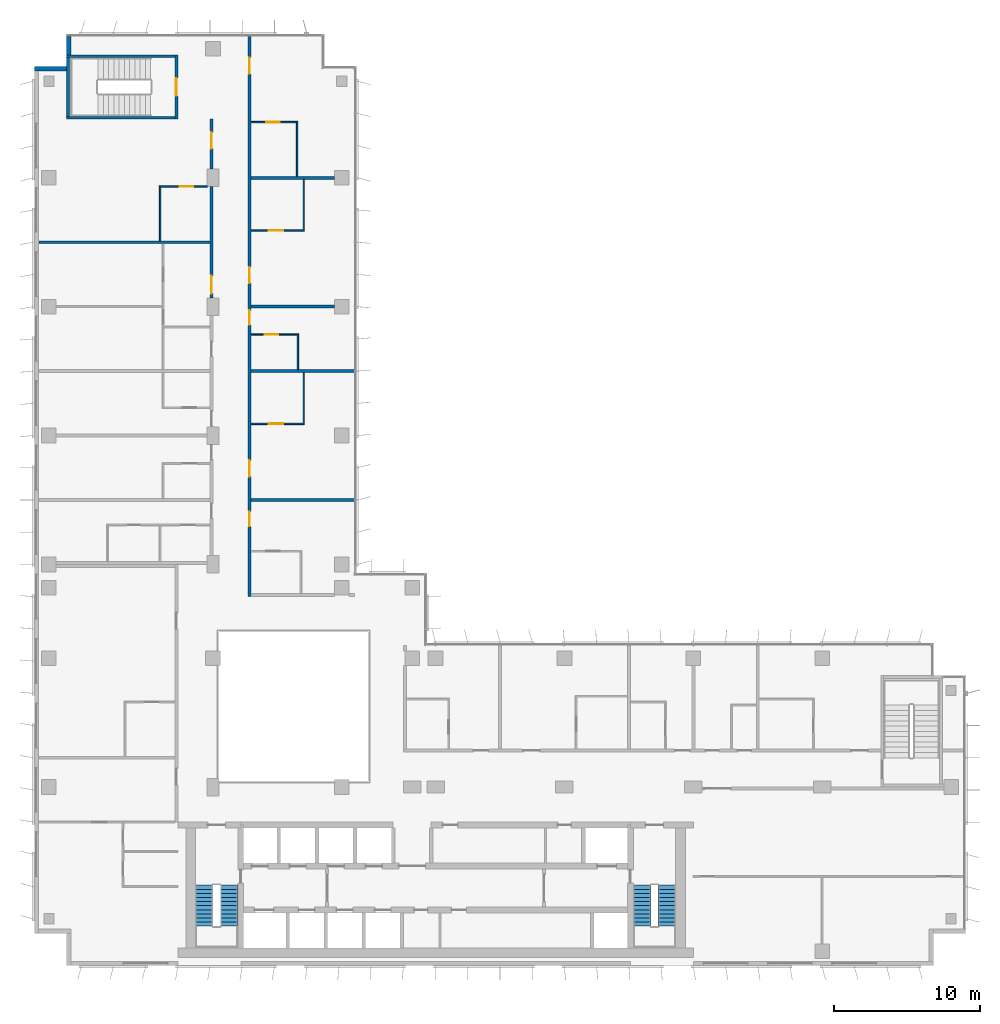
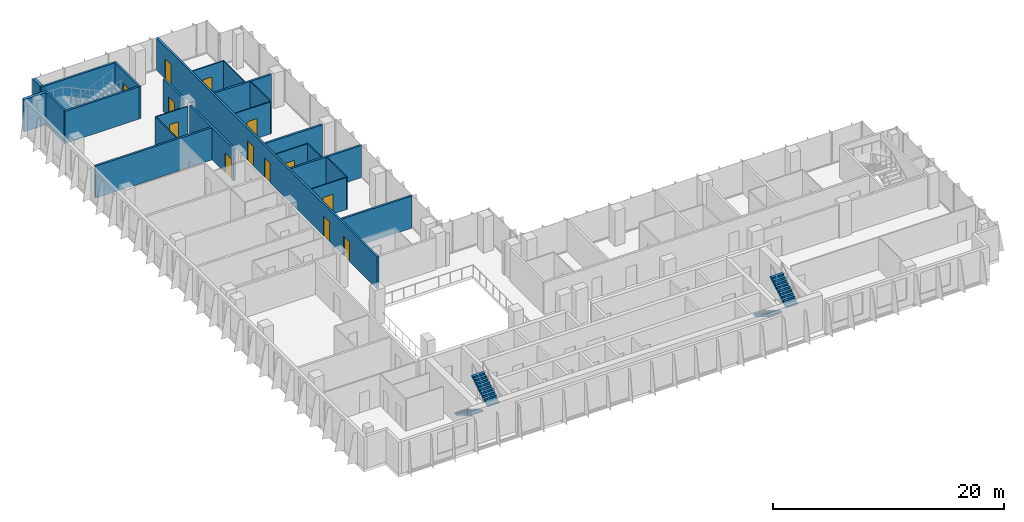
# One storey, part 17 of 21: 24 walls, 13 doors, 4 stair flights, 13 openings, 2 elements without a shape of their own.
"""IFC4 building model written with IfcOpenShell, lengths in metres."""

from ifc_helpers import new_model, si_unit, direction, frame, frame_2d, origin, place, context, subcontext, project, spatial, polyline, rectangle, outline, extrude, material, layer, layer_set, type_object, element, fill, aggregate, save


model = new_model("IFC4")

# Units and contexts
model_context = context("Model", 3, precision=1e-05, world=origin(), true_north=direction((0.0, 1.0)))
body_context = subcontext(model_context, "Body", "Model", "MODEL_VIEW")
ifc_project = project(units=[si_unit("LENGTHUNIT", "METRE"), si_unit("AREAUNIT", "SQUARE_METRE"), si_unit("VOLUMEUNIT", "CUBIC_METRE"), si_unit("PLANEANGLEUNIT", "RADIAN"), si_unit("MASSUNIT", "GRAM", prefix="KILO")], contexts=[model_context])

# Site, building, storey
site_placement = place(None, origin())
site = spatial("IfcSite", under=ifc_project, at=site_placement, CompositionType="ELEMENT")
building_placement = place(site_placement, origin())
building = spatial("IfcBuilding", under=site, at=building_placement, Name="Kemantara Hotel Tower", CompositionType="ELEMENT")
storey_placement = place(building_placement, frame((0.0, 0.0, 179.0)))
storey = spatial("IfcBuildingStorey", under=building, at=storey_placement, Name="L44", CompositionType="ELEMENT", Elevation=179.0)

# Walls
ifc_material_1 = material(Name="Bronze anodised aluminium cladding on insulated steel stud wall", Category="steel")
ifc_layer_1 = layer(ifc_material_1, 0.300048828125)
ifc_layer_set_1 = layer_set([ifc_layer_1], Name="Bronze anodised aluminium cladding on insulated steel stud wall")
wall_type_1 = type_object("IfcWallType", Name="BRONZE METAL-CLAD EXTERNAL WALL 300", PredefinedType="STANDARD", material=ifc_layer_set_1)
wall_1_placement = place(storey_placement, frame((2.35009765625, 63.449951171875, 0.0), z_axis=(0.0, 0.0, 1.0), x_axis=(0.0, -1.0, 0.0)))
element("IfcWall", 1, at=wall_1_placement, inside=storey, type_object=wall_type_1, Name="EXTERNAL WALL L44 T3-R03", PredefinedType="STANDARD", context=body_context, shape_type="SweptSolid", body=[
    extrude(rectangle(XDim=1.25, YDim=0.300048828125, at=frame_2d((0.625, 0.0))), origin(), (0.0, 0.0, 1.0), 3.39990234375),
])
wall_2_placement = place(storey_placement, frame((2.199951171875, 61.25, 0.0), z_axis=(0.0, 0.0, 1.0), x_axis=(-1.0, 0.0, 0.0)))
element("IfcWall", 2, at=wall_2_placement, inside=storey, type_object=wall_type_1, Name="EXTERNAL WALL L44 T3-R04", PredefinedType="STANDARD", context=body_context, shape_type="SweptSolid", body=[
    extrude(rectangle(XDim=2.199951171875, YDim=0.300048828125, at=frame_2d((1.10009765625, 0.0))), origin(), (0.0, 0.0, 1.0), 3.39990234375),
])

# Wall, opening, door
ifc_material_2 = material(Name="Gypsum board partition, steel studs and mineral wool, 200 mm", Category="steel")
ifc_layer_2 = layer(ifc_material_2, 0.199951171875)
ifc_layer_set_2 = layer_set([ifc_layer_2], Name="Gypsum board partition, steel studs and mineral wool, 200 mm")
wall_type_2 = type_object("IfcWallType", Name="CORRIDOR WALL 200", PredefinedType="PARTITIONING", material=ifc_layer_set_2)
wall_3_placement = place(storey_placement, frame((12.10009765625, 45.60009765625, 0.0), z_axis=(0.0, 0.0, 1.0), x_axis=(0.0, 1.0, 0.0)))
wall_3 = element("IfcWall", 3, at=wall_3_placement, inside=storey, type_object=wall_type_2, Name="CORRIDOR WALL 200 016", PredefinedType="PARTITIONING", context=body_context, shape_type="SweptSolid", body=[
    extrude(rectangle(XDim=7.599853515625, YDim=0.199951171875, at=frame_2d((3.7998046875, 0.0))), origin(), (0.0, 0.0, 1.0), 3.39990234375),
])
opening_1_placement = place(wall_3_placement, frame((0.2998046875, 0.0, 0.0)))
opening_1 = element("IfcOpeningElement", 4, at=opening_1_placement, cuts=wall_3, Name="Opening F20-028", PredefinedType="OPENING", context=body_context, shape_type="SweptSolid", body=[
    extrude(rectangle(XDim=1.199951171875, YDim=2.10009765625, at=frame_2d((0.60009765625, 1.050048828125))), frame((0.0, 0.10986328125, 0.0), z_axis=(0.0, -1.0, 0.0), x_axis=(1.0, 0.0, 0.0)), (0.0, 0.0, 1.0), 0.219970703125),
])
ifc_material_3 = material(Name="Hardwood veneer door leaf with steel frame", Category="steel")
door_type_1 = type_object("IfcDoorType", Name="GUEST ROOM DOOR 1200 X 2100 FD30S", OperationType="NOTDEFINED", PredefinedType="DOOR", material=ifc_material_3)
door_1_placement = place(opening_1_placement, origin())
door_1 = element("IfcDoor", 5, at=door_1_placement, inside=storey, type_object=door_type_1, Name="GUEST ROOM DOOR F20-028", OperationType="SINGLE_SWING_RIGHT", OverallHeight=2.10009765625, OverallWidth=1.199951171875, PredefinedType="DOOR", context=body_context, shape_type="SweptSolid", body=[
    extrude(rectangle(XDim=1.199951171875, YDim=2.10009765625, at=frame_2d((0.60009765625, 1.050048828125))), frame((0.0, 0.02490234375, 0.0), z_axis=(0.0, -1.0, 0.0), x_axis=(1.0, 0.0, 0.0)), (0.0, 0.0, 1.0), 0.050048828125),
])
fill(opening_1, door_1)

wall_4_placement = place(storey_placement, frame((12.10009765625, 54.400146484375, 0.0), z_axis=(0.0, 0.0, 1.0), x_axis=(0.0, 1.0, 0.0)))
wall_4 = element("IfcWall", 6, at=wall_4_placement, inside=storey, type_object=wall_type_2, Name="CORRIDOR WALL 200 017", PredefinedType="PARTITIONING", context=body_context, shape_type="SweptSolid", body=[
    extrude(rectangle(XDim=3.39990234375, YDim=0.199951171875, at=frame_2d((1.699951171875, 0.0))), origin(), (0.0, 0.0, 1.0), 3.39990234375),
])
opening_2_placement = place(wall_4_placement, frame((1.39990234375, 0.0, 0.0)))
opening_2 = element("IfcOpeningElement", 7, at=opening_2_placement, cuts=wall_4, Name="Opening F20-031", PredefinedType="OPENING", context=body_context, shape_type="SweptSolid", body=[
    extrude(rectangle(XDim=1.10009765625, YDim=2.10009765625, at=frame_2d((0.550048828125, 1.050048828125))), frame((0.0, 0.10986328125, 0.0), z_axis=(0.0, -1.0, 0.0), x_axis=(1.0, 0.0, 0.0)), (0.0, 0.0, 1.0), 0.219970703125),
])
door_type_2 = type_object("IfcDoorType", Name="SUITE ENTRANCE DOOR 1100 X 2100 FD30S", OperationType="NOTDEFINED", PredefinedType="DOOR", material=ifc_material_3)
door_2_placement = place(opening_2_placement, origin())
door_2 = element("IfcDoor", 8, at=door_2_placement, inside=storey, type_object=door_type_2, Name="SUITE ENTRANCE DOOR F20-031", OperationType="SINGLE_SWING_RIGHT", OverallHeight=2.10009765625, OverallWidth=1.10009765625, PredefinedType="DOOR", context=body_context, shape_type="SweptSolid", body=[
    extrude(rectangle(XDim=1.10009765625, YDim=2.10009765625, at=frame_2d((0.550048828125, 1.050048828125))), frame((0.0, 0.02490234375, 0.0), z_axis=(0.0, -1.0, 0.0), x_axis=(1.0, 0.0, 0.0)), (0.0, 0.0, 1.0), 0.050048828125),
])
fill(opening_2, door_2)

# Wall, openings, doors
wall_5_placement = place(storey_placement, frame((14.699951171875, 63.47998046875, 0.0), z_axis=(0.0, 0.0, 1.0), x_axis=(0.0, -1.0, 0.0)))
wall_5 = element("IfcWall", 9, at=wall_5_placement, inside=storey, type_object=wall_type_2, Name="CORRIDOR WALL 200 025", PredefinedType="PARTITIONING", context=body_context, shape_type="SweptSolid", body=[
    extrude(rectangle(XDim=38.280029296875, YDim=0.199951171875, at=frame_2d((19.14013671875, 0.0))), origin(), (0.0, 0.0, 1.0), 3.39990234375),
])
opening_3_placement = place(wall_5_placement, frame((32.47998046875, 0.0, 0.0)))
opening_3 = element("IfcOpeningElement", 10, at=opening_3_placement, cuts=wall_5, Name="Opening F20-033", PredefinedType="OPENING", context=body_context, shape_type="SweptSolid", body=[
    extrude(rectangle(XDim=1.0, YDim=2.10009765625, at=frame_2d((0.5, 1.050048828125))), frame((0.0, 0.10986328125, 0.0), z_axis=(0.0, -1.0, 0.0), x_axis=(1.0, 0.0, 0.0)), (0.0, 0.0, 1.0), 0.219970703125),
])
opening_4_placement = place(wall_5_placement, frame((28.97998046875, 0.0, 0.0)))
opening_4 = element("IfcOpeningElement", 11, at=opening_4_placement, cuts=wall_5, Name="Opening F20-035", PredefinedType="OPENING", context=body_context, shape_type="SweptSolid", body=[
    extrude(rectangle(XDim=1.10009765625, YDim=2.10009765625, at=frame_2d((0.550048828125, 1.050048828125))), frame((0.0, 0.10986328125, 0.0), z_axis=(0.0, -1.0, 0.0), x_axis=(1.0, 0.0, 0.0)), (0.0, 0.0, 1.0), 0.219970703125),
])
opening_5_placement = place(wall_5_placement, frame((18.72998046875, 0.0, 0.0)))
opening_5 = element("IfcOpeningElement", 12, at=opening_5_placement, cuts=wall_5, Name="Opening F20-037", PredefinedType="OPENING", context=body_context, shape_type="SweptSolid", body=[
    extrude(rectangle(XDim=1.0, YDim=2.10009765625, at=frame_2d((0.5, 1.050048828125))), frame((0.0, 0.10986328125, 0.0), z_axis=(0.0, -1.0, 0.0), x_axis=(1.0, 0.0, 0.0)), (0.0, 0.0, 1.0), 0.219970703125),
])
opening_6_placement = place(wall_5_placement, frame((15.77978515625, 0.0, 0.0)))
opening_6 = element("IfcOpeningElement", 13, at=opening_6_placement, cuts=wall_5, Name="Opening F20-039", PredefinedType="OPENING", context=body_context, shape_type="SweptSolid", body=[
    extrude(rectangle(XDim=1.10009765625, YDim=2.10009765625, at=frame_2d((0.550048828125, 1.050048828125))), frame((0.0, 0.10986328125, 0.0), z_axis=(0.0, -1.0, 0.0), x_axis=(1.0, 0.0, 0.0)), (0.0, 0.0, 1.0), 0.219970703125),
])
opening_7_placement = place(wall_5_placement, frame((1.47998046875, 0.0, 0.0)))
opening_7 = element("IfcOpeningElement", 14, at=opening_7_placement, cuts=wall_5, Name="Opening F20-041", PredefinedType="OPENING", context=body_context, shape_type="SweptSolid", body=[
    extrude(rectangle(XDim=1.10009765625, YDim=2.10009765625, at=frame_2d((0.550048828125, 1.050048828125))), frame((0.0, 0.10986328125, 0.0), z_axis=(0.0, -1.0, 0.0), x_axis=(1.0, 0.0, 0.0)), (0.0, 0.0, 1.0), 0.219970703125),
])
door_type_3 = type_object("IfcDoorType", Name="GUEST ROOM DOOR 1000 X 2100 FD30S", OperationType="NOTDEFINED", PredefinedType="DOOR", material=ifc_material_3)
door_3_placement = place(opening_3_placement, origin())
door_3 = element("IfcDoor", 15, at=door_3_placement, inside=storey, type_object=door_type_3, Name="GUEST ROOM DOOR F20-033", OperationType="SINGLE_SWING_LEFT", OverallHeight=2.10009765625, OverallWidth=1.0, PredefinedType="DOOR", context=body_context, shape_type="SweptSolid", body=[
    extrude(rectangle(XDim=1.0, YDim=2.10009765625, at=frame_2d((0.5, 1.050048828125))), frame((0.0, 0.02490234375, 0.0), z_axis=(0.0, -1.0, 0.0), x_axis=(1.0, 0.0, 0.0)), (0.0, 0.0, 1.0), 0.050048828125),
])
fill(opening_3, door_3)
door_4_placement = place(opening_5_placement, origin())
door_4 = element("IfcDoor", 16, at=door_4_placement, inside=storey, type_object=door_type_3, Name="GUEST ROOM DOOR F20-037", OperationType="SINGLE_SWING_LEFT", OverallHeight=2.10009765625, OverallWidth=1.0, PredefinedType="DOOR", context=body_context, shape_type="SweptSolid", body=[
    extrude(rectangle(XDim=1.0, YDim=2.10009765625, at=frame_2d((0.5, 1.050048828125))), frame((0.0, 0.02490234375, 0.0), z_axis=(0.0, -1.0, 0.0), x_axis=(1.0, 0.0, 0.0)), (0.0, 0.0, 1.0), 0.050048828125),
])
fill(opening_5, door_4)
door_type_4 = type_object("IfcDoorType", Name="GUEST ROOM DOOR 1100 X 2100 FD30S", OperationType="NOTDEFINED", PredefinedType="DOOR", material=ifc_material_3)
door_5_placement = place(opening_4_placement, origin())
door_5 = element("IfcDoor", 17, at=door_5_placement, inside=storey, type_object=door_type_4, Name="GUEST ROOM DOOR F20-035", OperationType="SINGLE_SWING_RIGHT", OverallHeight=2.10009765625, OverallWidth=1.10009765625, PredefinedType="DOOR", context=body_context, shape_type="SweptSolid", body=[
    extrude(rectangle(XDim=1.10009765625, YDim=2.10009765625, at=frame_2d((0.550048828125, 1.050048828125))), frame((0.0, 0.02490234375, 0.0), z_axis=(0.0, -1.0, 0.0), x_axis=(1.0, 0.0, 0.0)), (0.0, 0.0, 1.0), 0.050048828125),
])
fill(opening_4, door_5)
door_6_placement = place(opening_6_placement, origin())
door_6 = element("IfcDoor", 18, at=door_6_placement, inside=storey, type_object=door_type_4, Name="GUEST ROOM DOOR F20-039", OperationType="SINGLE_SWING_RIGHT", OverallHeight=2.10009765625, OverallWidth=1.10009765625, PredefinedType="DOOR", context=body_context, shape_type="SweptSolid", body=[
    extrude(rectangle(XDim=1.10009765625, YDim=2.10009765625, at=frame_2d((0.550048828125, 1.050048828125))), frame((0.0, 0.02490234375, 0.0), z_axis=(0.0, -1.0, 0.0), x_axis=(1.0, 0.0, 0.0)), (0.0, 0.0, 1.0), 0.050048828125),
])
fill(opening_6, door_6)
door_7_placement = place(opening_7_placement, origin())
door_7 = element("IfcDoor", 19, at=door_7_placement, inside=storey, type_object=door_type_2, Name="SUITE ENTRANCE DOOR F20-041", OperationType="SINGLE_SWING_LEFT", OverallHeight=2.10009765625, OverallWidth=1.10009765625, PredefinedType="DOOR", context=body_context, shape_type="SweptSolid", body=[
    extrude(rectangle(XDim=1.10009765625, YDim=2.10009765625, at=frame_2d((0.550048828125, 1.050048828125))), frame((0.0, 0.02490234375, 0.0), z_axis=(0.0, -1.0, 0.0), x_axis=(1.0, 0.0, 0.0)), (0.0, 0.0, 1.0), 0.050048828125),
])
fill(opening_7, door_7)

# Wall, opening, door
ifc_material_4 = material(Name="Concrete fc 40 MPa", Category="concrete")
ifc_layer_3 = layer(ifc_material_4, 0.199951171875)
ifc_layer_set_3 = layer_set([ifc_layer_3], Name="Concrete fc 40 MPa")
wall_type_3 = type_object("IfcWallType", Name="Concrete stair wall 200 mm", PredefinedType="SHEAR", material=ifc_layer_set_3)
wall_6_placement = place(storey_placement, frame((9.699951171875, 57.800048828125, 0.0), z_axis=(0.0, 0.0, 1.0), x_axis=(0.0, 1.0, 0.0)))
wall_6 = element("IfcWall", 20, at=wall_6_placement, inside=storey, type_object=wall_type_3, Name="Stair ST4 enclosure wall with door", PredefinedType="SHEAR", context=body_context, shape_type="SweptSolid", body=[
    extrude(rectangle(XDim=4.39990234375, YDim=0.199951171875, at=frame_2d((2.199951171875, 0.0))), origin(), (0.0, 0.0, 1.0), 3.39990234375),
])
opening_8_placement = place(wall_6_placement, frame((1.60009765625, 0.0, 0.0)))
opening_8 = element("IfcOpeningElement", 21, at=opening_8_placement, cuts=wall_6, Name="Opening ST4-C", PredefinedType="OPENING", context=body_context, shape_type="SweptSolid", body=[
    extrude(rectangle(XDim=1.199951171875, YDim=2.10009765625, at=frame_2d((0.60009765625, 1.050048828125))), frame((0.0, 0.10986328125, 0.0), z_axis=(0.0, -1.0, 0.0), x_axis=(1.0, 0.0, 0.0)), (0.0, 0.0, 1.0), 0.219970703125),
])
ifc_material_5 = material(Name="Steel fire door", Category="steel")
door_type_5 = type_object("IfcDoorType", Name="Fire door FD90 1200 x 2100", OperationType="NOTDEFINED", PredefinedType="DOOR", material=ifc_material_5)
door_8_placement = place(opening_8_placement, origin())
door_8 = element("IfcDoor", 22, at=door_8_placement, inside=storey, type_object=door_type_5, Name="Stair ST4 door", OperationType="SINGLE_SWING_RIGHT", OverallHeight=2.10009765625, OverallWidth=1.199951171875, PredefinedType="DOOR", context=body_context, shape_type="SweptSolid", body=[
    extrude(rectangle(XDim=1.199951171875, YDim=2.10009765625, at=frame_2d((0.60009765625, 1.050048828125))), frame((0.0, 0.02490234375, 0.0), z_axis=(0.0, -1.0, 0.0), x_axis=(1.0, 0.0, 0.0)), (0.0, 0.0, 1.0), 0.050048828125),
])
fill(opening_8, door_8)

# Walls
for number, where, z_axis, x_axis, name in (
    (23, (2.199951171875, 62.10009765625, 0.0), (0.0, 0.0, 1.0), (1.0, 0.0, 0.0), "Stair ST4 enclosure wall N"),
    (24, (2.199951171875, 57.89990234375, 0.0), (0.0, 0.0, 1.0), (1.0, 0.0, 0.0), "Stair ST4 enclosure wall S"),
):
    element("IfcWall", number, at=place(storey_placement, frame(where, z_axis=z_axis, x_axis=x_axis)), inside=storey, type_object=wall_type_3, Name=name, PredefinedType="SHEAR", context=body_context, shape_type="SweptSolid", body=[
        extrude(rectangle(XDim=7.400146484375, YDim=0.199951171875, at=frame_2d((3.7001953125, 0.0))), origin(), (0.0, 0.0, 1.0), 3.39990234375),
    ])
wall_7_placement = place(storey_placement, frame((2.300048828125, 58.0, 0.0), z_axis=(0.0, 0.0, 1.0), x_axis=(0.0, 1.0, 0.0)))
element("IfcWall", 25, at=wall_7_placement, inside=storey, type_object=wall_type_3, Name="Stair ST4 enclosure wall W", PredefinedType="SHEAR", context=body_context, shape_type="SweptSolid", body=[
    extrude(rectangle(XDim=4.0, YDim=0.199951171875, at=frame_2d((2.0, 0.0))), origin(), (0.0, 0.0, 1.0), 3.39990234375),
])
ifc_layer_4 = layer(ifc_material_2, 0.199951171875)
ifc_layer_set_4 = layer_set([ifc_layer_4], Name="Gypsum board partition, steel studs and mineral wool, 200 mm")
wall_type_4 = type_object("IfcWallType", Name="GUEST ROOM PARTY WALL 200", PredefinedType="PARTITIONING", material=ifc_layer_set_4)
for number, where, z_axis, x_axis, name in (
    (26, (14.800048828125, 31.800048828125, 0.0), (0.0, 0.0, 1.0), (1.0, 0.0, 0.0), "GUEST ROOM PARTY WALL 200 020"),
    (27, (14.800048828125, 40.60009765625, 0.0), (0.0, 0.0, 1.0), (1.0, 0.0, 0.0), "GUEST ROOM PARTY WALL 200 023"),
):
    element("IfcWall", number, at=place(storey_placement, frame(where, z_axis=z_axis, x_axis=x_axis)), inside=storey, type_object=wall_type_4, Name=name, PredefinedType="PARTITIONING", context=body_context, shape_type="SweptSolid", body=[
        extrude(rectangle(XDim=7.070068359375, YDim=0.199951171875, at=frame_2d((3.53515625, 0.0))), origin(), (0.0, 0.0, 1.0), 3.39990234375),
    ])
wall_8_placement = place(storey_placement, frame((0.31005859375, 49.39990234375, 0.0), z_axis=(0.0, 0.0, 1.0), x_axis=(1.0, 0.0, 0.0)))
element("IfcWall", 28, at=wall_8_placement, inside=storey, type_object=wall_type_4, Name="GUEST ROOM PARTY WALL 200 024", PredefinedType="PARTITIONING", context=body_context, shape_type="SweptSolid", body=[
    extrude(rectangle(XDim=11.68994140625, YDim=0.199951171875, at=frame_2d((5.844970703125, 0.0))), origin(), (0.0, 0.0, 1.0), 3.39990234375),
])
for number, where, z_axis, x_axis, name in (
    (29, (14.800048828125, 45.0, 0.0), (0.0, 0.0, 1.0), (1.0, 0.0, 0.0), "GUEST ROOM PARTY WALL 200 028"),
    (30, (14.800048828125, 53.800048828125, 0.0), (0.0, 0.0, 1.0), (1.0, 0.0, 0.0), "GUEST ROOM PARTY WALL 200 029"),
):
    element("IfcWall", number, at=place(storey_placement, frame(where, z_axis=z_axis, x_axis=x_axis)), inside=storey, type_object=wall_type_4, Name=name, PredefinedType="PARTITIONING", context=body_context, shape_type="SweptSolid", body=[
        extrude(rectangle(XDim=5.699951171875, YDim=0.199951171875, at=frame_2d((2.85009765625, 0.0))), origin(), (0.0, 0.0, 1.0), 3.39990234375),
    ])
ifc_material_6 = material(Name="Gypsum board partition on steel studs, 100 mm", Category="steel")
ifc_layer_5 = layer(ifc_material_6, 0.10009765625)
ifc_layer_set_5 = layer_set([ifc_layer_5], Name="Gypsum board partition on steel studs, 100 mm")
wall_type_5 = type_object("IfcWallType", Name="ROOM PARTITION 100", PredefinedType="PARTITIONING", material=ifc_layer_set_5)
wall_9_placement = place(storey_placement, frame((8.60009765625, 49.5, 0.0), z_axis=(0.0, 0.0, 1.0), x_axis=(0.0, 1.0, 0.0)))
element("IfcWall", 31, at=wall_9_placement, inside=storey, type_object=wall_type_5, Name="ROOM PARTITION 100 050", PredefinedType="PARTITIONING", context=body_context, shape_type="SweptSolid", body=[
    extrude(rectangle(XDim=3.75, YDim=0.10009765625, at=frame_2d((1.875, 0.0))), origin(), (0.0, 0.0, 1.0), 3.39990234375),
])

# Wall, opening, door
wall_10_placement = place(storey_placement, frame((11.7998046875, 53.199951171875, 0.0), z_axis=(0.0, 0.0, 1.0), x_axis=(-1.0, 0.0, 0.0)))
wall_10 = element("IfcWall", 32, at=wall_10_placement, inside=storey, type_object=wall_type_5, Name="ROOM PARTITION 100 059", PredefinedType="PARTITIONING", context=body_context, shape_type="SweptSolid", body=[
    extrude(rectangle(XDim=3.14990234375, YDim=0.10009765625, at=frame_2d((1.574951171875, 0.0))), origin(), (0.0, 0.0, 1.0), 3.39990234375),
])
opening_9_placement = place(wall_10_placement, frame((0.949951171875, 0.0, 0.0)))
opening_9 = element("IfcOpeningElement", 33, at=opening_9_placement, cuts=wall_10, Name="Opening F20-032", PredefinedType="OPENING", context=body_context, shape_type="SweptSolid", body=[
    extrude(rectangle(XDim=0.89990234375, YDim=2.10009765625, at=frame_2d((0.449951171875, 1.050048828125))), frame((0.0, 0.06005859375, 0.0), z_axis=(0.0, -1.0, 0.0), x_axis=(1.0, 0.0, 0.0)), (0.0, 0.0, 1.0), 0.1201171875),
])
door_type_6 = type_object("IfcDoorType", Name="BATHROOM DOOR 900 X 2100", OperationType="NOTDEFINED", PredefinedType="DOOR", material=ifc_material_3)
door_9_placement = place(opening_9_placement, origin())
door_9 = element("IfcDoor", 34, at=door_9_placement, inside=storey, type_object=door_type_6, Name="BATHROOM DOOR F20-032", OperationType="SINGLE_SWING_LEFT", OverallHeight=2.10009765625, OverallWidth=0.89990234375, PredefinedType="DOOR", context=body_context, shape_type="SweptSolid", body=[
    extrude(rectangle(XDim=0.89990234375, YDim=2.10009765625, at=frame_2d((0.449951171875, 1.050048828125))), frame((0.0, 0.02490234375, 0.0), z_axis=(0.0, -1.0, 0.0), x_axis=(1.0, 0.0, 0.0)), (0.0, 0.0, 1.0), 0.050048828125),
])
fill(opening_9, door_9)

# Walls
for number, where, z_axis, x_axis, name in (
    (35, (18.39990234375, 36.949951171875, 0.0), (0.0, 0.0, 1.0), (0.0, 1.0, 0.0), "ROOM PARTITION 100 062"),
    (36, (18.39990234375, 50.14990234375, 0.0), (0.0, 0.0, 1.0), (0.0, 1.0, 0.0), "ROOM PARTITION 100 063"),
):
    element("IfcWall", number, at=place(storey_placement, frame(where, z_axis=z_axis, x_axis=x_axis)), inside=storey, type_object=wall_type_5, Name=name, PredefinedType="PARTITIONING", context=body_context, shape_type="SweptSolid", body=[
        extrude(rectangle(XDim=3.550048828125, YDim=0.10009765625, at=frame_2d((1.77490234375, 0.0))), origin(), (0.0, 0.0, 1.0), 3.39990234375),
    ])

# Wall, opening, door
wall_11_placement = place(storey_placement, frame((14.800048828125, 37.0, 0.0), z_axis=(0.0, 0.0, 1.0), x_axis=(1.0, 0.0, 0.0)))
wall_11 = element("IfcWall", 37, at=wall_11_placement, inside=storey, type_object=wall_type_5, Name="ROOM PARTITION 100 064", PredefinedType="PARTITIONING", context=body_context, shape_type="SweptSolid", body=[
    extrude(rectangle(XDim=3.550048828125, YDim=0.10009765625, at=frame_2d((1.77490234375, 0.0))), origin(), (0.0, 0.0, 1.0), 3.39990234375),
])
opening_10_placement = place(wall_11_placement, frame((1.199951171875, 0.0, 0.0)))
opening_10 = element("IfcOpeningElement", 38, at=opening_10_placement, cuts=wall_11, Name="Opening F20-036", PredefinedType="OPENING", context=body_context, shape_type="SweptSolid", body=[
    extrude(rectangle(XDim=1.0, YDim=2.10009765625, at=frame_2d((0.5, 1.050048828125))), frame((0.0, 0.06005859375, 0.0), z_axis=(0.0, -1.0, 0.0), x_axis=(1.0, 0.0, 0.0)), (0.0, 0.0, 1.0), 0.1201171875),
])
door_type_7 = type_object("IfcDoorType", Name="BATHROOM DOOR 1000 X 2100", OperationType="NOTDEFINED", PredefinedType="DOOR", material=ifc_material_3)
door_10_placement = place(opening_10_placement, origin())
door_10 = element("IfcDoor", 39, at=door_10_placement, inside=storey, type_object=door_type_7, Name="BATHROOM DOOR F20-036", OperationType="SINGLE_SWING_LEFT", OverallHeight=2.10009765625, OverallWidth=1.0, PredefinedType="DOOR", context=body_context, shape_type="SweptSolid", body=[
    extrude(rectangle(XDim=1.0, YDim=2.10009765625, at=frame_2d((0.5, 1.050048828125))), frame((0.0, 0.02490234375, 0.0), z_axis=(0.0, -1.0, 0.0), x_axis=(1.0, 0.0, 0.0)), (0.0, 0.0, 1.0), 0.050048828125),
])
fill(opening_10, door_10)

# Wall
wall_12_placement = place(storey_placement, frame((18.0, 40.699951171875, 0.0), z_axis=(0.0, 0.0, 1.0), x_axis=(0.0, 1.0, 0.0)))
element("IfcWall", 40, at=wall_12_placement, inside=storey, type_object=wall_type_5, Name="ROOM PARTITION 100 065", PredefinedType="PARTITIONING", context=body_context, shape_type="SweptSolid", body=[
    extrude(rectangle(XDim=2.449951171875, YDim=0.10009765625, at=frame_2d((1.22509765625, 0.0))), origin(), (0.0, 0.0, 1.0), 3.39990234375),
])

# Wall, opening, door
wall_13_placement = place(storey_placement, frame((17.949951171875, 43.10009765625, 0.0), z_axis=(0.0, 0.0, 1.0), x_axis=(-1.0, 0.0, 0.0)))
wall_13 = element("IfcWall", 41, at=wall_13_placement, inside=storey, type_object=wall_type_5, Name="ROOM PARTITION 100 066", PredefinedType="PARTITIONING", context=body_context, shape_type="SweptSolid", body=[
    extrude(rectangle(XDim=3.14990234375, YDim=0.10009765625, at=frame_2d((1.574951171875, 0.0))), origin(), (0.0, 0.0, 1.0), 3.39990234375),
])
opening_11_placement = place(wall_13_placement, frame((1.300048828125, 0.0, 0.0)))
opening_11 = element("IfcOpeningElement", 42, at=opening_11_placement, cuts=wall_13, Name="Opening F20-038", PredefinedType="OPENING", context=body_context, shape_type="SweptSolid", body=[
    extrude(rectangle(XDim=0.89990234375, YDim=2.10009765625, at=frame_2d((0.449951171875, 1.050048828125))), frame((0.0, 0.06005859375, 0.0), z_axis=(0.0, -1.0, 0.0), x_axis=(1.0, 0.0, 0.0)), (0.0, 0.0, 1.0), 0.1201171875),
])
door_11_placement = place(opening_11_placement, origin())
door_11 = element("IfcDoor", 43, at=door_11_placement, inside=storey, type_object=door_type_6, Name="BATHROOM DOOR F20-038", OperationType="SINGLE_SWING_RIGHT", OverallHeight=2.10009765625, OverallWidth=0.89990234375, PredefinedType="DOOR", context=body_context, shape_type="SweptSolid", body=[
    extrude(rectangle(XDim=0.89990234375, YDim=2.10009765625, at=frame_2d((0.449951171875, 1.050048828125))), frame((0.0, 0.02490234375, 0.0), z_axis=(0.0, -1.0, 0.0), x_axis=(1.0, 0.0, 0.0)), (0.0, 0.0, 1.0), 0.050048828125),
])
fill(opening_11, door_11)

wall_14_placement = place(storey_placement, frame((14.800048828125, 50.199951171875, 0.0), z_axis=(0.0, 0.0, 1.0), x_axis=(1.0, 0.0, 0.0)))
wall_14 = element("IfcWall", 44, at=wall_14_placement, inside=storey, type_object=wall_type_5, Name="ROOM PARTITION 100 067", PredefinedType="PARTITIONING", context=body_context, shape_type="SweptSolid", body=[
    extrude(rectangle(XDim=3.550048828125, YDim=0.10009765625, at=frame_2d((1.77490234375, 0.0))), origin(), (0.0, 0.0, 1.0), 3.39990234375),
])
opening_12_placement = place(wall_14_placement, frame((1.199951171875, 0.0, 0.0)))
opening_12 = element("IfcOpeningElement", 45, at=opening_12_placement, cuts=wall_14, Name="Opening F20-040", PredefinedType="OPENING", context=body_context, shape_type="SweptSolid", body=[
    extrude(rectangle(XDim=1.0, YDim=2.10009765625, at=frame_2d((0.5, 1.050048828125))), frame((0.0, 0.06005859375, 0.0), z_axis=(0.0, -1.0, 0.0), x_axis=(1.0, 0.0, 0.0)), (0.0, 0.0, 1.0), 0.1201171875),
])
door_12_placement = place(opening_12_placement, origin())
door_12 = element("IfcDoor", 46, at=door_12_placement, inside=storey, type_object=door_type_7, Name="BATHROOM DOOR F20-040", OperationType="SINGLE_SWING_LEFT", OverallHeight=2.10009765625, OverallWidth=1.0, PredefinedType="DOOR", context=body_context, shape_type="SweptSolid", body=[
    extrude(rectangle(XDim=1.0, YDim=2.10009765625, at=frame_2d((0.5, 1.050048828125))), frame((0.0, 0.02490234375, 0.0), z_axis=(0.0, -1.0, 0.0), x_axis=(1.0, 0.0, 0.0)), (0.0, 0.0, 1.0), 0.050048828125),
])
fill(opening_12, door_12)

# Wall
wall_15_placement = place(storey_placement, frame((17.949951171875, 53.89990234375, 0.0), z_axis=(0.0, 0.0, 1.0), x_axis=(0.0, 1.0, 0.0)))
element("IfcWall", 47, at=wall_15_placement, inside=storey, type_object=wall_type_5, Name="ROOM PARTITION 100 068", PredefinedType="PARTITIONING", context=body_context, shape_type="SweptSolid", body=[
    extrude(rectangle(XDim=3.75, YDim=0.10009765625, at=frame_2d((1.875, 0.0))), origin(), (0.0, 0.0, 1.0), 3.39990234375),
])

# Wall, opening, door
wall_16_placement = place(storey_placement, frame((17.89990234375, 57.60009765625, 0.0), z_axis=(0.0, 0.0, 1.0), x_axis=(-1.0, 0.0, 0.0)))
wall_16 = element("IfcWall", 48, at=wall_16_placement, inside=storey, type_object=wall_type_5, Name="ROOM PARTITION 100 069", PredefinedType="PARTITIONING", context=body_context, shape_type="SweptSolid", body=[
    extrude(rectangle(XDim=3.099853515625, YDim=0.10009765625, at=frame_2d((1.5498046875, 0.0))), origin(), (0.0, 0.0, 1.0), 3.39990234375),
])
opening_13_placement = place(wall_16_placement, frame((1.14990234375, 0.0, 0.0)))
opening_13 = element("IfcOpeningElement", 49, at=opening_13_placement, cuts=wall_16, Name="Opening F20-042", PredefinedType="OPENING", context=body_context, shape_type="SweptSolid", body=[
    extrude(rectangle(XDim=0.89990234375, YDim=2.10009765625, at=frame_2d((0.449951171875, 1.050048828125))), frame((0.0, 0.06005859375, 0.0), z_axis=(0.0, -1.0, 0.0), x_axis=(1.0, 0.0, 0.0)), (0.0, 0.0, 1.0), 0.1201171875),
])
door_13_placement = place(opening_13_placement, origin())
door_13 = element("IfcDoor", 50, at=door_13_placement, inside=storey, type_object=door_type_6, Name="BATHROOM DOOR F20-042", OperationType="SINGLE_SWING_RIGHT", OverallHeight=2.10009765625, OverallWidth=0.89990234375, PredefinedType="DOOR", context=body_context, shape_type="SweptSolid", body=[
    extrude(rectangle(XDim=0.89990234375, YDim=2.10009765625, at=frame_2d((0.449951171875, 1.050048828125))), frame((0.0, 0.02490234375, 0.0), z_axis=(0.0, -1.0, 0.0), x_axis=(1.0, 0.0, 0.0)), (0.0, 0.0, 1.0), 0.050048828125),
])
fill(opening_13, door_13)

# Stair, stair flights
stair_type = type_object("IfcStairType", Name="Stair 1200 wide 22 risers of 168 x 280 mm", PredefinedType="HALF_TURN_STAIR", material=ifc_material_4)
stair_1_placement = place(storey_placement, origin())
stair_1 = element("IfcStair", 51, at=stair_1_placement, inside=storey, type_object=stair_type, Name="L44 Exit stair ST1", PredefinedType="HALF_TURN_STAIR")
stair_flight_type = type_object("IfcStairFlightType", Name="Stair flight 1200 wide 168 x 280 mm", PredefinedType="STRAIGHT", material=ifc_material_4)
stair_flight_1_placement = place(storey_placement, frame((11.60009765625, 5.5, 0.0), z_axis=(0.0, 0.0, 1.0), x_axis=(0.0, -1.0, 0.0)))
stair_flight_1 = element("IfcStairFlight", 52, at=stair_flight_1_placement, type_object=stair_flight_type, Name="ST1 flight 1", NumberOfRisers=11, NumberOfTreads=10, PredefinedType="STRAIGHT", RiserHeight=0.168181818, TreadLength=0.28, context=body_context, shape_type="SweptSolid", body=[
    extrude(outline(polyline([(0.0, 0.0), (0.0, 0.168212890625), (0.280029296875, 0.168212890625), (0.280029296875, 0.33642578125), (0.56005859375, 0.33642578125), (0.56005859375, 0.504638671875), (0.840087890625, 0.504638671875), (0.840087890625, 0.672607421875), (1.1201171875, 0.672607421875), (1.1201171875, 0.8408203125), (1.39990234375, 0.8408203125), (1.39990234375, 1.009033203125), (1.679931640625, 1.009033203125), (1.679931640625, 1.17724609375), (1.9599609375, 1.17724609375), (1.9599609375, 1.345458984375), (2.239990234375, 1.345458984375), (2.239990234375, 1.513671875), (2.52001953125, 1.513671875), (2.52001953125, 1.681884765625), (2.800048828125, 1.681884765625), (2.800048828125, 1.85009765625), (2.800048828125, 1.5068359375), (0.291015625, 0.0), (0.0, 0.0)])), frame((0.0, 0.60009765625, 0.0), z_axis=(0.0, -1.0, 0.0), x_axis=(1.0, 0.0, 0.0)), (0.0, 0.0, 1.0), 1.199951171875),
])
stair_flight_2_placement = place(storey_placement, frame((13.300048828125, 2.699951171875, 1.85009765625), z_axis=(0.0, 0.0, 1.0), x_axis=(0.0, 1.0, 0.0)))
stair_flight_2 = element("IfcStairFlight", 53, at=stair_flight_2_placement, type_object=stair_flight_type, Name="ST1 flight 2", NumberOfRisers=11, NumberOfTreads=10, PredefinedType="STRAIGHT", RiserHeight=0.168181818, TreadLength=0.28, context=body_context, shape_type="SweptSolid", body=[
    extrude(outline(polyline([(0.0, 0.0), (0.0, 0.168212890625), (0.280029296875, 0.168212890625), (0.280029296875, 0.33642578125), (0.56005859375, 0.33642578125), (0.56005859375, 0.504638671875), (0.840087890625, 0.504638671875), (0.840087890625, 0.672607421875), (1.1201171875, 0.672607421875), (1.1201171875, 0.8408203125), (1.39990234375, 0.8408203125), (1.39990234375, 1.009033203125), (1.679931640625, 1.009033203125), (1.679931640625, 1.17724609375), (1.9599609375, 1.17724609375), (1.9599609375, 1.345458984375), (2.239990234375, 1.345458984375), (2.239990234375, 1.513671875), (2.52001953125, 1.513671875), (2.52001953125, 1.681884765625), (2.800048828125, 1.681884765625), (2.800048828125, 1.85009765625), (2.800048828125, 1.5068359375), (0.291015625, 0.0), (0.0, 0.0)])), frame((0.0, 0.60009765625, 0.0), z_axis=(0.0, -1.0, 0.0), x_axis=(1.0, 0.0, 0.0)), (0.0, 0.0, 1.0), 1.199951171875),
])
aggregate(stair_1, [stair_flight_1, stair_flight_2])

stair_2_placement = place(storey_placement, origin())
stair_2 = element("IfcStair", 54, at=stair_2_placement, inside=storey, type_object=stair_type, Name="L44 Exit stair ST2", PredefinedType="HALF_TURN_STAIR")
stair_flight_3_placement = place(storey_placement, frame((41.5, 5.5, 0.0), z_axis=(0.0, 0.0, 1.0), x_axis=(0.0, -1.0, 0.0)))
stair_flight_3 = element("IfcStairFlight", 55, at=stair_flight_3_placement, type_object=stair_flight_type, Name="ST2 flight 1", NumberOfRisers=11, NumberOfTreads=10, PredefinedType="STRAIGHT", RiserHeight=0.168181818, TreadLength=0.28, context=body_context, shape_type="SweptSolid", body=[
    extrude(outline(polyline([(0.0, 0.0), (0.0, 0.168212890625), (0.280029296875, 0.168212890625), (0.280029296875, 0.33642578125), (0.56005859375, 0.33642578125), (0.56005859375, 0.504638671875), (0.840087890625, 0.504638671875), (0.840087890625, 0.672607421875), (1.1201171875, 0.672607421875), (1.1201171875, 0.8408203125), (1.39990234375, 0.8408203125), (1.39990234375, 1.009033203125), (1.679931640625, 1.009033203125), (1.679931640625, 1.17724609375), (1.9599609375, 1.17724609375), (1.9599609375, 1.345458984375), (2.239990234375, 1.345458984375), (2.239990234375, 1.513671875), (2.52001953125, 1.513671875), (2.52001953125, 1.681884765625), (2.800048828125, 1.681884765625), (2.800048828125, 1.85009765625), (2.800048828125, 1.5068359375), (0.291015625, 0.0), (0.0, 0.0)])), frame((0.0, 0.60009765625, 0.0), z_axis=(0.0, -1.0, 0.0), x_axis=(1.0, 0.0, 0.0)), (0.0, 0.0, 1.0), 1.199951171875),
])
stair_flight_4_placement = place(storey_placement, frame((43.199951171875, 2.699951171875, 1.85009765625), z_axis=(0.0, 0.0, 1.0), x_axis=(0.0, 1.0, 0.0)))
stair_flight_4 = element("IfcStairFlight", 56, at=stair_flight_4_placement, type_object=stair_flight_type, Name="ST2 flight 2", NumberOfRisers=11, NumberOfTreads=10, PredefinedType="STRAIGHT", RiserHeight=0.168181818, TreadLength=0.28, context=body_context, shape_type="SweptSolid", body=[
    extrude(outline(polyline([(0.0, 0.0), (0.0, 0.168212890625), (0.280029296875, 0.168212890625), (0.280029296875, 0.33642578125), (0.56005859375, 0.33642578125), (0.56005859375, 0.504638671875), (0.840087890625, 0.504638671875), (0.840087890625, 0.672607421875), (1.1201171875, 0.672607421875), (1.1201171875, 0.8408203125), (1.39990234375, 0.8408203125), (1.39990234375, 1.009033203125), (1.679931640625, 1.009033203125), (1.679931640625, 1.17724609375), (1.9599609375, 1.17724609375), (1.9599609375, 1.345458984375), (2.239990234375, 1.345458984375), (2.239990234375, 1.513671875), (2.52001953125, 1.513671875), (2.52001953125, 1.681884765625), (2.800048828125, 1.681884765625), (2.800048828125, 1.85009765625), (2.800048828125, 1.5068359375), (0.291015625, 0.0), (0.0, 0.0)])), frame((0.0, 0.60009765625, 0.0), z_axis=(0.0, -1.0, 0.0), x_axis=(1.0, 0.0, 0.0)), (0.0, 0.0, 1.0), 1.199951171875),
])
aggregate(stair_2, [stair_flight_3, stair_flight_4])

save(model, "model.ifc")
